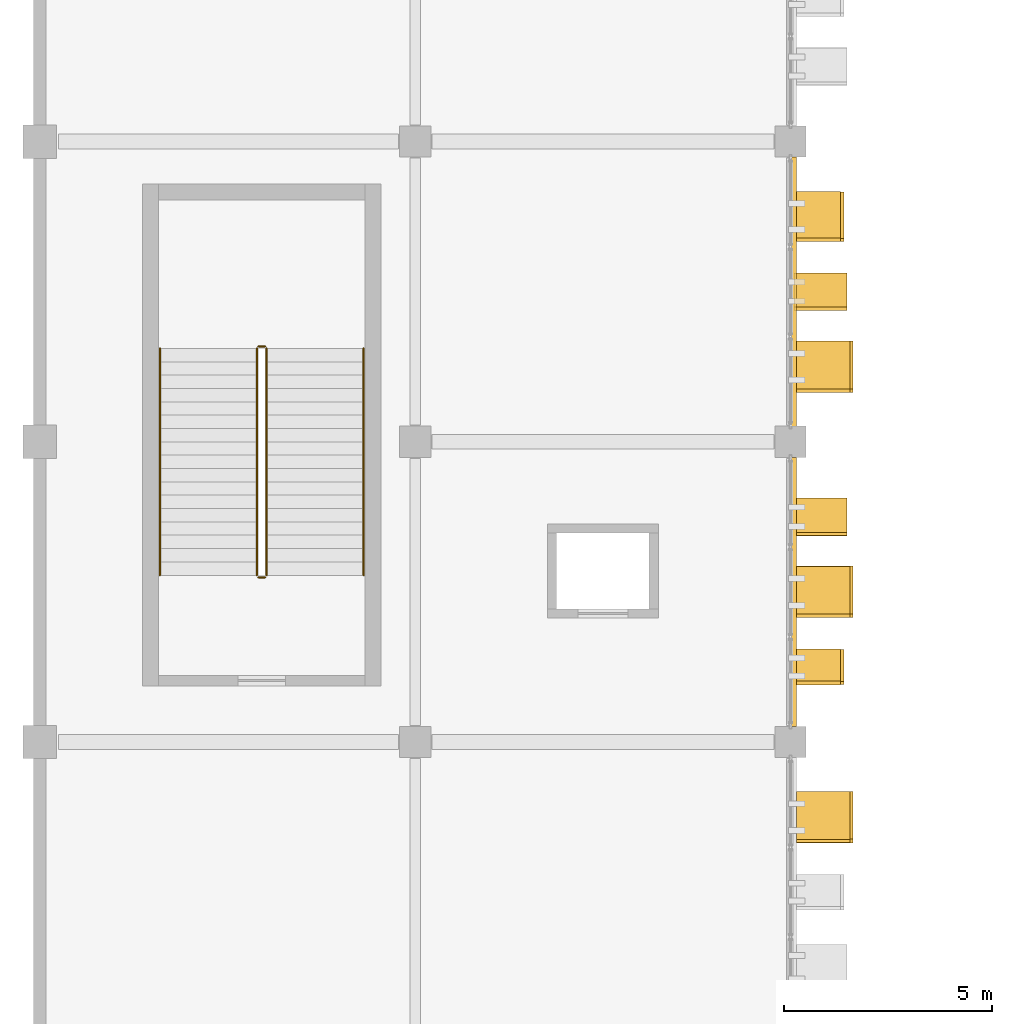
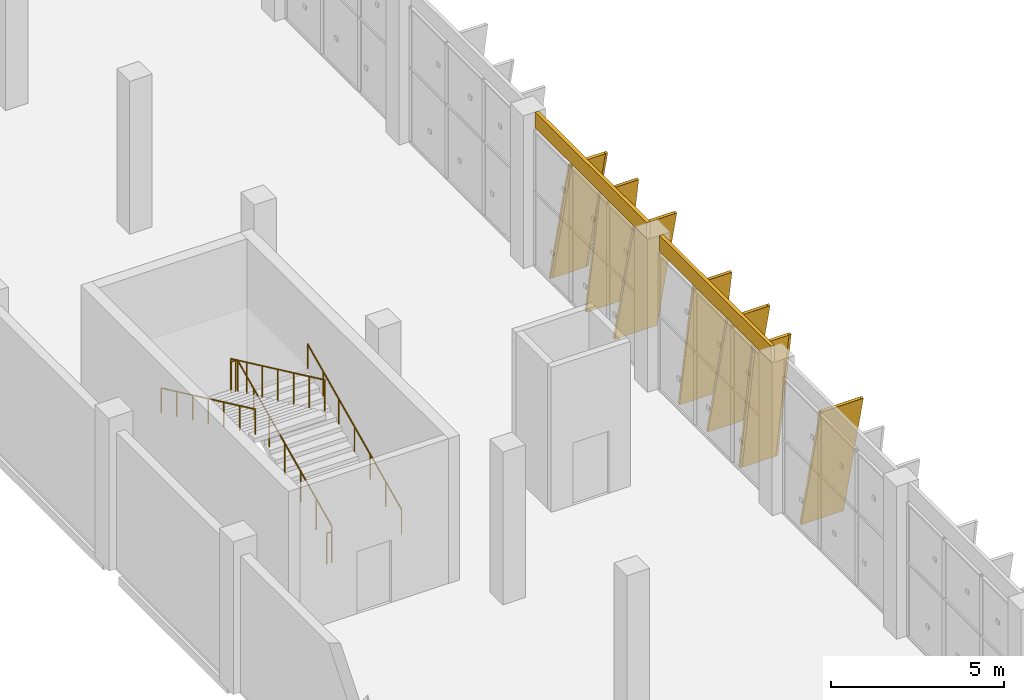
# One storey, part 169 of 189: 9 coverings, 7 shading devices, 6 railings.
"""IFC4 building model written with IfcOpenShell, lengths in metres."""

from ifc_helpers import new_model, si_unit, direction, frame, origin, origin_2d, place, context, subcontext, project, spatial, rectangle, circle, extrude, material, layer, layer_set, material_profile, profile_set, type_object, element, save


model = new_model("IFC4")

# Units and contexts
model_context = context("Model", 3, precision=1e-05, world=origin(), true_north=direction((0.0, 1.0)))
body_context = subcontext(model_context, "Body", "Model", "MODEL_VIEW")
ifc_project = project(units=[si_unit("LENGTHUNIT", "METRE"), si_unit("AREAUNIT", "SQUARE_METRE"), si_unit("VOLUMEUNIT", "CUBIC_METRE"), si_unit("PLANEANGLEUNIT", "RADIAN"), si_unit("MASSUNIT", "GRAM", prefix="KILO")], contexts=[model_context])

# Site, building, storey
site_placement = place(None, origin())
site = spatial("IfcSite", under=ifc_project, at=site_placement, CompositionType="ELEMENT")
building_placement = place(site_placement, origin())
building = spatial("IfcBuilding", under=site, at=building_placement, Name="Celestram Park Convention Centre", CompositionType="ELEMENT")
storey_placement = place(building_placement, frame((0.0, 0.0, 5.39990234375)))
storey = spatial("IfcBuildingStorey", under=building, at=storey_placement, Name="L01", CompositionType="ELEMENT", Elevation=5.39990234375)

# Coverings
ifc_material_1 = material(Name="Anodised Bronze Aluminium Spandrel Cladding", Category="aluminium")
ifc_layer_1 = layer(ifc_material_1, 0.050048828125)
ifc_layer_set_1 = layer_set([ifc_layer_1], Name="Anodised Bronze Aluminium Spandrel Cladding")
covering_type_1 = type_object("IfcCoveringType", Name="ARC-COV-CLD060", PredefinedType="CLADDING", material=ifc_layer_set_1)
for number, where, z_axis, x_axis, name in (
    (1, (144.080078125, 61.199951171875, 4.840087890625), (0.0, 0.0, 1.0), (0.0, -1.0, 0.0), "Bronze spandrel cladding CL-L01-094"),
    (2, (144.080078125, 54.0, 4.840087890625), (0.0, 0.0, 1.0), (0.0, -1.0, 0.0), "Bronze spandrel cladding CL-L01-095"),
):
    element("IfcCovering", number, at=place(storey_placement, frame(where, z_axis=z_axis, x_axis=x_axis)), inside=storey, type_object=covering_type_1, Name=name, PredefinedType="CLADDING", context=body_context, shape_type="SweptSolid", body=[
        extrude(rectangle(XDim=6.4541015625, YDim=0.1201171875, at=origin_2d()), origin(), (0.0, 0.0, 1.0), 0.56005859375),
    ])
ifc_material_2 = material(Name="Timber-Toned Anodised Aluminium Alloy 6063-T6", Category="wood")
ifc_material_profile_1 = material_profile(ifc_material_2, rectangle(XDim=1.1201171875, YDim=0.090087890625, at=origin_2d()), Name="REED1120X90")
ifc_profile_set_1 = profile_set([ifc_material_profile_1], Name="Timber-Toned Anodised Aluminium Alloy 6063-T6")
covering_type_2 = type_object("IfcCoveringType", Name="ARC-COV-FIN1120", PredefinedType="CLADDING", material=ifc_profile_set_1)
covering_1_placement = place(storey_placement, frame((144.639892578125, 63.557373046875, 0.070556640625), z_axis=(0.0, -0.231760054376, 0.972772983381), x_axis=(1.0, 0.0, 0.0)))
element("IfcCovering", 3, at=covering_1_placement, inside=storey, type_object=covering_type_2, Name="Leaning timber-toned reed fin RFN-L01-0281", PredefinedType="CLADDING", context=body_context, shape_type="SweptSolid", body=[
    extrude(rectangle(XDim=1.1201171875, YDim=0.090087890625, at=origin_2d()), origin(), (0.0, 0.0, 1.0), 4.809814453125),
])
covering_2_placement = place(storey_placement, frame((144.639892578125, 52.58447265625, 0.035888671875), z_axis=(0.0, -0.159878683359, 0.987136670683), x_axis=(1.0, 0.0, 0.0)))
element("IfcCovering", 4, at=covering_2_placement, inside=storey, type_object=covering_type_2, Name="Leaning timber-toned reed fin RFN-L01-0286", PredefinedType="CLADDING", context=body_context, shape_type="SweptSolid", body=[
    extrude(rectangle(XDim=1.1201171875, YDim=0.090087890625, at=origin_2d()), origin(), (0.0, 0.0, 1.0), 4.81005859375),
])
ifc_material_profile_2 = material_profile(ifc_material_2, rectangle(XDim=1.280029296875, YDim=0.090087890625, at=origin_2d()), Name="REED1280X90")
ifc_profile_set_2 = profile_set([ifc_material_profile_2], Name="Timber-Toned Anodised Aluminium Alloy 6063-T6")
covering_type_3 = type_object("IfcCoveringType", Name="ARC-COV-FIN1280", PredefinedType="CLADDING", material=ifc_profile_set_2)
for number, where, z_axis, x_axis, name in (
    (5, (144.719970703125, 61.609375, 0.040283203125), (0.0, -0.170240052999, 0.985402620432), (1.0, 0.0, 0.0), "Leaning timber-toned reed fin RFN-L01-0282"),
    (6, (144.719970703125, 56.20947265625, 0.040283203125), (0.0, -0.170240052999, 0.985402620432), (1.0, 0.0, 0.0), "Leaning timber-toned reed fin RFN-L01-0284"),
):
    element("IfcCovering", number, at=place(storey_placement, frame(where, z_axis=z_axis, x_axis=x_axis)), inside=storey, type_object=covering_type_3, Name=name, PredefinedType="CLADDING", context=body_context, shape_type="SweptSolid", body=[
        extrude(rectangle(XDim=1.280029296875, YDim=0.090087890625, at=origin_2d()), origin(), (0.0, 0.0, 1.0), 4.81005859375),
    ])
ifc_material_profile_3 = material_profile(ifc_material_2, rectangle(XDim=1.419921875, YDim=0.090087890625, at=origin_2d()), Name="REED1420X90")
ifc_profile_set_3 = profile_set([ifc_material_profile_3], Name="Timber-Toned Anodised Aluminium Alloy 6063-T6")
covering_type_4 = type_object("IfcCoveringType", Name="ARC-COV-FIN1420", PredefinedType="CLADDING", material=ifc_profile_set_3)
for number, where, z_axis, x_axis, name in (
    (7, (144.7900390625, 59.9736328125, 0.074462890625), (0.0, -0.238508778742, 0.971140341281), (1.0, 0.0, 0.0), "Leaning timber-toned reed fin RFN-L01-0283"),
    (8, (144.7900390625, 54.57373046875, 0.074462890625), (0.0, -0.238556647816, 0.971128583547), (1.0, 0.0, 0.0), "Leaning timber-toned reed fin RFN-L01-0285"),
    (9, (144.7900390625, 49.173583984375, 0.074462890625), (0.0, -0.238508778742, 0.971140341281), (1.0, 0.0, 0.0), "Leaning timber-toned reed fin RFN-L01-0287"),
):
    element("IfcCovering", number, at=place(storey_placement, frame(where, z_axis=z_axis, x_axis=x_axis)), inside=storey, type_object=covering_type_4, Name=name, PredefinedType="CLADDING", context=body_context, shape_type="SweptSolid", body=[
        extrude(rectangle(XDim=1.419921875, YDim=0.090087890625, at=origin_2d()), origin(), (0.0, 0.0, 1.0), 4.81005859375),
    ])

# Shading devices
ifc_material_3 = material(Name="Anodised Bronze Aluminium Alloy 6063-T6", Category="aluminium")
ifc_material_profile_4 = material_profile(ifc_material_3, rectangle(XDim=1.280029296875, YDim=0.080078125, at=origin_2d()), Name="FIN1280X80")
ifc_profile_set_4 = profile_set([ifc_material_profile_4], Name="Anodised Bronze Aluminium Alloy 6063-T6")
shading_device_type = type_object("IfcShadingDeviceType", Name="ARC-FIN-BZ1280", PredefinedType="USERDEFINED", material=ifc_profile_set_4)
shading_device_placement = place(storey_placement, frame((144.639892578125, 63.557373046875, 0.070556640625), z_axis=(0.0, -0.231760054376, 0.972772983381), x_axis=(1.0, 0.0, 0.0)))
element("IfcShadingDevice", 10, at=shading_device_placement, inside=storey, type_object=shading_device_type, Name="Expressive solar fin FN-L01-0281", ObjectType="SOLAR_FIN", PredefinedType="USERDEFINED", context=body_context, shape_type="SweptSolid", body=[
    extrude(rectangle(XDim=1.280029296875, YDim=0.080078125, at=origin_2d()), origin(), (0.0, 0.0, 1.0), 4.809814453125),
])
for number, where, z_axis, x_axis, name in (
    (11, (144.719970703125, 61.609375, 0.040283203125), (0.0, -0.170240052999, 0.985402620432), (1.0, 0.0, 0.0), "Expressive solar fin FN-L01-0282"),
    (12, (144.7900390625, 59.9736328125, 0.074462890625), (0.0, -0.238508778742, 0.971140341281), (1.0, 0.0, 0.0), "Expressive solar fin FN-L01-0283"),
    (13, (144.719970703125, 56.20947265625, 0.040283203125), (0.0, -0.170240052999, 0.985402620432), (1.0, 0.0, 0.0), "Expressive solar fin FN-L01-0284"),
    (14, (144.7900390625, 54.57373046875, 0.074462890625), (0.0, -0.238556647816, 0.971128583547), (1.0, 0.0, 0.0), "Expressive solar fin FN-L01-0285"),
    (15, (144.639892578125, 52.58447265625, 0.035888671875), (0.0, -0.159878683359, 0.987136670683), (1.0, 0.0, 0.0), "Expressive solar fin FN-L01-0286"),
    (16, (144.7900390625, 49.173583984375, 0.074462890625), (0.0, -0.238508778742, 0.971140341281), (1.0, 0.0, 0.0), "Expressive solar fin FN-L01-0287"),
):
    element("IfcShadingDevice", number, at=place(storey_placement, frame(where, z_axis=z_axis, x_axis=x_axis)), inside=storey, type_object=shading_device_type, Name=name, ObjectType="SOLAR_FIN", PredefinedType="USERDEFINED", context=body_context, shape_type="SweptSolid", body=[
        extrude(rectangle(XDim=1.280029296875, YDim=0.080078125, at=origin_2d()), origin(), (0.0, 0.0, 1.0), 4.81005859375),
    ])

# Railings
ifc_material_4 = material(Name="Stainless Steel AISI 316L & Laminated Glass", Category="steel")
ifc_layer_2 = layer(ifc_material_4, 0.06005859375)
ifc_layer_set_2 = layer_set([ifc_layer_2], Name="Stainless Steel AISI 316L & Laminated Glass")
railing_type_1 = type_object("IfcRailingType", Name="ARC-RL-GRD1120", PredefinedType="GUARDRAIL", material=ifc_layer_set_2)
railing_1_placement = place(storey_placement, frame((131.43603515625, 54.39990234375, 0.150146484375)))
element("IfcRailing", 17, at=railing_1_placement, inside=storey, type_object=railing_type_1, Name="L01 ST-04 stair guard 1", PredefinedType="GUARDRAIL", context=body_context, shape_type="SweptSolid", body=[
    extrude(circle(Radius=0.02392578125, at=origin_2d()), frame((0.0, 0.0, 1.09619140625), z_axis=(0.0, 0.905461375974, 0.424428670827), x_axis=(-1.0, 0.0, 0.0)), (0.0, 0.0, 1.0), 6.00830078125),
    extrude(circle(Radius=0.02099609375, at=origin_2d()), origin(), (0.0, 0.0, 1.0), 1.072021484375),
    extrude(circle(Radius=0.02099609375, at=origin_2d()), frame((0.0, 0.90673828125, 0.425048828125)), (0.0, 0.0, 1.0), 1.072021484375),
    extrude(circle(Radius=0.02099609375, at=origin_2d()), frame((0.0, 1.8134765625, 0.85009765625)), (0.0, 0.0, 1.0), 1.072021484375),
    extrude(circle(Radius=0.02099609375, at=origin_2d()), frame((0.0, 2.72021484375, 1.27490234375)), (0.0, 0.0, 1.0), 1.072021484375),
    extrude(circle(Radius=0.02099609375, at=origin_2d()), frame((0.0, 3.626708984375, 1.699951171875)), (0.0, 0.0, 1.0), 1.072021484375),
    extrude(circle(Radius=0.02099609375, at=origin_2d()), frame((0.0, 4.533447265625, 2.125)), (0.0, 0.0, 1.0), 1.072021484375),
    extrude(circle(Radius=0.02099609375, at=origin_2d()), frame((0.0, 5.440185546875, 2.550048828125)), (0.0, 0.0, 1.0), 1.072021484375),
])
railing_2_placement = place(storey_placement, frame((131.39990234375, 59.889892578125, 2.7001953125)))
element("IfcRailing", 18, at=railing_2_placement, inside=storey, type_object=railing_type_1, Name="L01 ST-04 stair guard 2", PredefinedType="GUARDRAIL", context=body_context, shape_type="SweptSolid", body=[
    extrude(circle(Radius=0.02392578125, at=origin_2d()), frame((0.0, 0.0, 1.09619140625), z_axis=(-1.0, 0.0, 0.0), x_axis=(0.0, -1.0, 0.0)), (0.0, 0.0, 1.0), 0.159912109375),
    extrude(circle(Radius=0.02099609375, at=origin_2d()), origin(), (0.0, 0.0, 1.0), 1.072021484375),
    extrude(circle(Radius=0.02099609375, at=origin_2d()), frame((-0.159912109375, 0.0, 0.0)), (0.0, 0.0, 1.0), 1.072021484375),
])
railing_3_placement = place(storey_placement, frame((131.2041015625, 59.840087890625, 2.85009765625)))
element("IfcRailing", 19, at=railing_3_placement, inside=storey, type_object=railing_type_1, Name="L01 ST-04 stair guard 3", PredefinedType="GUARDRAIL", context=body_context, shape_type="SweptSolid", body=[
    extrude(circle(Radius=0.02392578125, at=origin_2d()), frame((0.0, 0.0, 1.09619140625), z_axis=(0.0, -0.905461375974, 0.424428670827), x_axis=(1.0, 0.0, 0.0)), (0.0, 0.0, 1.0), 6.00830078125),
    extrude(circle(Radius=0.02099609375, at=origin_2d()), origin(), (0.0, 0.0, 1.0), 1.072021484375),
    extrude(circle(Radius=0.02099609375, at=origin_2d()), frame((0.0, -0.90673828125, 0.425048828125)), (0.0, 0.0, 1.0), 1.072021484375),
    extrude(circle(Radius=0.02099609375, at=origin_2d()), frame((0.0, -1.8134765625, 0.85009765625)), (0.0, 0.0, 1.0), 1.072021484375),
    extrude(circle(Radius=0.02099609375, at=origin_2d()), frame((0.0, -2.72021484375, 1.27490234375)), (0.0, 0.0, 1.0), 1.072021484375),
    extrude(circle(Radius=0.02099609375, at=origin_2d()), frame((0.0, -3.626708984375, 1.699951171875)), (0.0, 0.0, 1.0), 1.072021484375),
    extrude(circle(Radius=0.02099609375, at=origin_2d()), frame((0.0, -4.533447265625, 2.125)), (0.0, 0.0, 1.0), 1.072021484375),
    extrude(circle(Radius=0.02099609375, at=origin_2d()), frame((0.0, -5.440185546875, 2.550048828125)), (0.0, 0.0, 1.0), 1.072021484375),
])
railing_4_placement = place(storey_placement, frame((131.39990234375, 54.35009765625, 0.0)))
element("IfcRailing", 20, at=railing_4_placement, inside=storey, type_object=railing_type_1, Name="L01 ST-04 stair guard 4", PredefinedType="GUARDRAIL", context=body_context, shape_type="SweptSolid", body=[
    extrude(circle(Radius=0.02392578125, at=origin_2d()), frame((0.0, 0.0, 1.09619140625), z_axis=(-1.0, 0.0, 0.0), x_axis=(0.0, -1.0, 0.0)), (0.0, 0.0, 1.0), 0.159912109375),
    extrude(circle(Radius=0.02099609375, at=origin_2d()), origin(), (0.0, 0.0, 1.0), 1.072021484375),
    extrude(circle(Radius=0.02099609375, at=origin_2d()), frame((-0.159912109375, 0.0, 0.0)), (0.0, 0.0, 1.0), 1.072021484375),
])
ifc_material_5 = material(Name="Brushed Stainless Steel AISI 304", Category="steel")
ifc_layer_3 = layer(ifc_material_5, 0.048095703125)
ifc_layer_set_3 = layer_set([ifc_layer_3], Name="Brushed Stainless Steel AISI 304")
railing_type_2 = type_object("IfcRailingType", Name="ARC-RL-HND915", PredefinedType="HANDRAIL", material=ifc_layer_set_3)
railing_5_placement = place(storey_placement, frame((133.763916015625, 54.39990234375, 0.150146484375)))
element("IfcRailing", 21, at=railing_5_placement, inside=storey, type_object=railing_type_2, Name="L01 ST-04 stair handrail 1", PredefinedType="HANDRAIL", context=body_context, shape_type="SweptSolid", body=[
    extrude(circle(Radius=0.02392578125, at=origin_2d()), frame((0.0, 0.0, 0.8759765625), z_axis=(0.0, 0.905461375974, 0.424428670827), x_axis=(-1.0, 0.0, 0.0)), (0.0, 0.0, 1.0), 6.00830078125),
    extrude(circle(Radius=0.02099609375, at=origin_2d()), origin(), (0.0, 0.0, 1.0), 0.851806640625),
    extrude(circle(Radius=0.02099609375, at=origin_2d()), frame((0.0, 0.90673828125, 0.425048828125)), (0.0, 0.0, 1.0), 0.851806640625),
    extrude(circle(Radius=0.02099609375, at=origin_2d()), frame((0.0, 1.8134765625, 0.85009765625)), (0.0, 0.0, 1.0), 0.851806640625),
    extrude(circle(Radius=0.02099609375, at=origin_2d()), frame((0.0, 2.72021484375, 1.27490234375)), (0.0, 0.0, 1.0), 0.851806640625),
    extrude(circle(Radius=0.02099609375, at=origin_2d()), frame((0.0, 3.626708984375, 1.699951171875)), (0.0, 0.0, 1.0), 0.851806640625),
    extrude(circle(Radius=0.02099609375, at=origin_2d()), frame((0.0, 4.533447265625, 2.125)), (0.0, 0.0, 1.0), 0.851806640625),
    extrude(circle(Radius=0.02099609375, at=origin_2d()), frame((0.0, 5.440185546875, 2.550048828125)), (0.0, 0.0, 1.0), 0.851806640625),
])
railing_6_placement = place(storey_placement, frame((128.8759765625, 59.840087890625, 2.85009765625)))
element("IfcRailing", 22, at=railing_6_placement, inside=storey, type_object=railing_type_2, Name="L01 ST-04 stair handrail 2", PredefinedType="HANDRAIL", context=body_context, shape_type="SweptSolid", body=[
    extrude(circle(Radius=0.02392578125, at=origin_2d()), frame((0.0, 0.0, 0.8759765625), z_axis=(0.0, -0.905461375974, 0.424428670827), x_axis=(1.0, 0.0, 0.0)), (0.0, 0.0, 1.0), 6.00830078125),
    extrude(circle(Radius=0.02099609375, at=origin_2d()), origin(), (0.0, 0.0, 1.0), 0.851806640625),
    extrude(circle(Radius=0.02099609375, at=origin_2d()), frame((0.0, -0.90673828125, 0.425048828125)), (0.0, 0.0, 1.0), 0.851806640625),
    extrude(circle(Radius=0.02099609375, at=origin_2d()), frame((0.0, -1.8134765625, 0.85009765625)), (0.0, 0.0, 1.0), 0.851806640625),
    extrude(circle(Radius=0.02099609375, at=origin_2d()), frame((0.0, -2.72021484375, 1.27490234375)), (0.0, 0.0, 1.0), 0.851806640625),
    extrude(circle(Radius=0.02099609375, at=origin_2d()), frame((0.0, -3.626708984375, 1.699951171875)), (0.0, 0.0, 1.0), 0.851806640625),
    extrude(circle(Radius=0.02099609375, at=origin_2d()), frame((0.0, -4.533447265625, 2.125)), (0.0, 0.0, 1.0), 0.851806640625),
    extrude(circle(Radius=0.02099609375, at=origin_2d()), frame((0.0, -5.440185546875, 2.550048828125)), (0.0, 0.0, 1.0), 0.851806640625),
])

save(model, "model.ifc")
